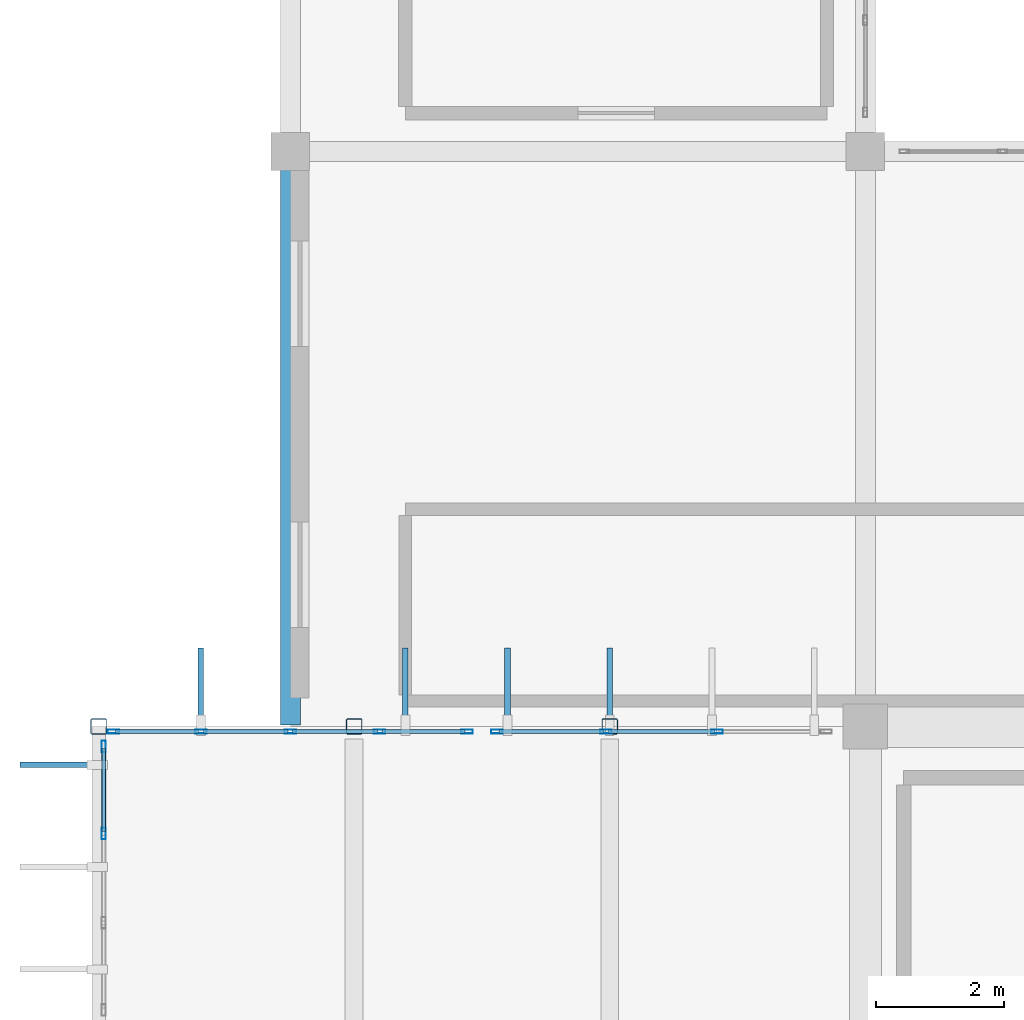
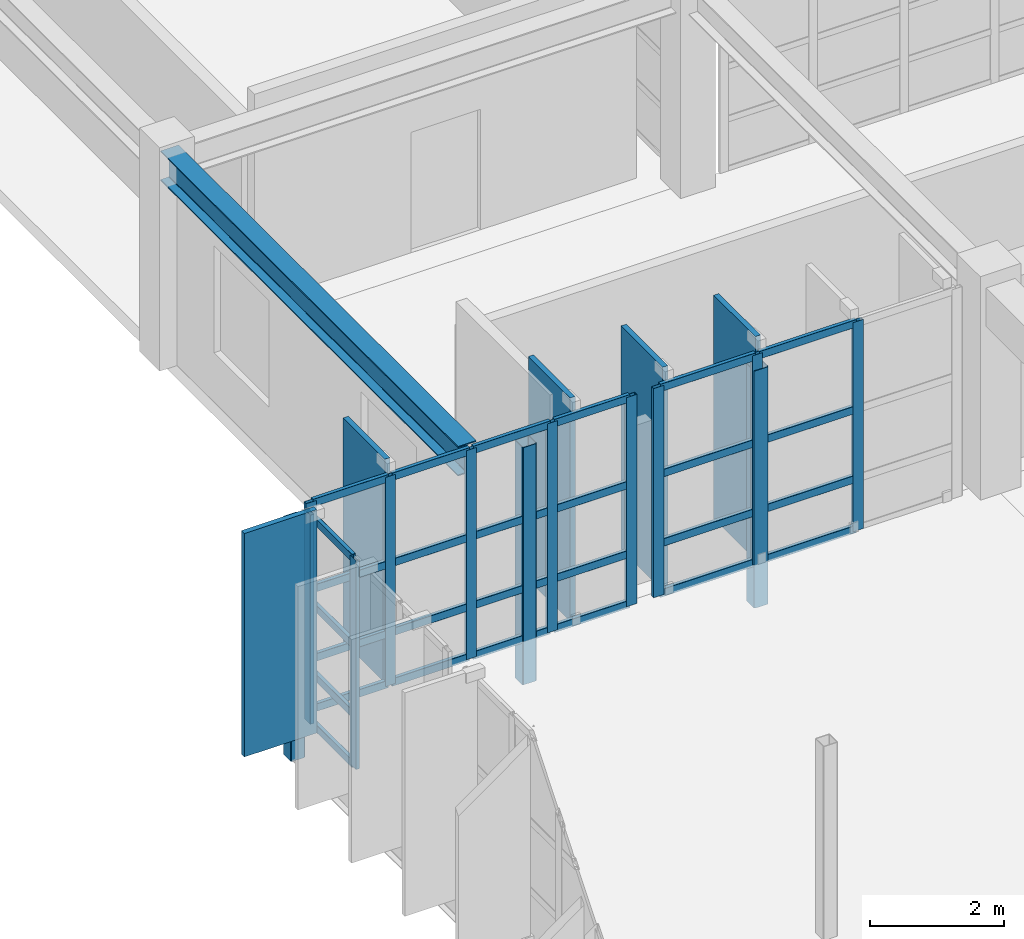
# One storey, part 48 of 110: 46 members, 1 beam, 3 elements without a shape of their own.
"""IFC4 building model written with IfcOpenShell, lengths in metres."""

from ifc_helpers import new_model, si_unit, direction, frame, origin, origin_2d, place, context, subcontext, project, spatial, rectangle, hollow_rectangle, i_section, extrude, material, material_profile, profile_set, type_object, element, aggregate, save


model = new_model("IFC4")

# Units and contexts
model_context = context("Model", 3, precision=1e-05, world=origin(), true_north=direction((0.0, 1.0)))
body_context = subcontext(model_context, "Body", "Model", "MODEL_VIEW")
ifc_project = project(units=[si_unit("LENGTHUNIT", "METRE"), si_unit("AREAUNIT", "SQUARE_METRE"), si_unit("VOLUMEUNIT", "CUBIC_METRE"), si_unit("PLANEANGLEUNIT", "RADIAN"), si_unit("MASSUNIT", "GRAM", prefix="KILO")], contexts=[model_context])

# Site, building, storey
site_placement = place(None, origin())
site = spatial("IfcSite", under=ifc_project, at=site_placement, CompositionType="ELEMENT")
building_placement = place(site_placement, origin())
building = spatial("IfcBuilding", under=site, at=building_placement, Name="Miravela Opera House", CompositionType="ELEMENT")
storey_placement = place(building_placement, frame((0.0, 0.0, 13.60009765625)))
storey = spatial("IfcBuildingStorey", under=building, at=storey_placement, Name="L03", CompositionType="ELEMENT", Elevation=13.60009765625)

# Curtain wall, members
ifc_material_1 = material(Name="Anodised architectural bronze aluminium 6063-T6", Category="aluminium")
curtain_wall_type = type_object("IfcCurtainWallType", Name="ARC-CW-02", PredefinedType="NOTDEFINED", material=ifc_material_1)
curtain_wall_1_placement = place(storey_placement, origin())
curtain_wall_1 = element("IfcCurtainWall", 1, at=curtain_wall_1_placement, inside=storey, type_object=curtain_wall_type, Name="Cantilever West Wrapper Glazing B8 CW-L03-022", PredefinedType="NOTDEFINED")
ifc_material_profile_1 = material_profile(ifc_material_1, hollow_rectangle(XDim=0.06494140625, YDim=0.179931640625, WallThickness=0.00390625, InnerFilletRadius=0.001953125, OuterFilletRadius=0.00390625, at=origin_2d()), Name="CWM-65X180")
ifc_profile_set_1 = profile_set([ifc_material_profile_1])
member_type_1 = type_object("IfcMemberType", Name="ARC-CWM-180", PredefinedType="MULLION", material=ifc_profile_set_1)
member_1_placement = place(storey_placement, frame((15.080078125, 73.3232421875, 0.0), z_axis=(0.0, 0.0, 1.0), x_axis=(-1.0, 0.0, 0.0)))
member_1 = element("IfcMember", 2, at=member_1_placement, type_object=member_type_1, Name="CW-02 mullion 3", PredefinedType="MULLION", context=body_context, shape_type="SweptSolid", body=[
    extrude(hollow_rectangle(XDim=0.06494140625, YDim=0.179931640625, WallThickness=0.00390625, InnerFilletRadius=0.001953125, OuterFilletRadius=0.00390625, at=origin_2d()), origin(), (0.0, 0.0, 1.0), 3.81982421875),
])
member_2_placement = place(storey_placement, frame((15.080078125, 74.6875, 0.0), z_axis=(0.0, 0.0, 1.0), x_axis=(-1.0, 0.0, 0.0)))
member_2 = element("IfcMember", 3, at=member_2_placement, type_object=member_type_1, Name="CW-02 mullion 4", PredefinedType="MULLION", context=body_context, shape_type="SweptSolid", body=[
    extrude(hollow_rectangle(XDim=0.06494140625, YDim=0.179931640625, WallThickness=0.00390625, InnerFilletRadius=0.001953125, OuterFilletRadius=0.00390625, at=origin_2d()), origin(), (0.0, 0.0, 1.0), 3.81982421875),
])

curtain_wall_2_placement = place(storey_placement, origin())
curtain_wall_2 = element("IfcCurtainWall", 4, at=curtain_wall_2_placement, inside=storey, type_object=curtain_wall_type, Name="Auditorium North Wrapper Glazing CW-L03-023", PredefinedType="NOTDEFINED")
member_3_placement = place(storey_placement, frame((15.232421875, 74.919921875, 0.0), z_axis=(0.0, 0.0, 1.0), x_axis=(0.0, 1.0, 0.0)))
member_3 = element("IfcMember", 5, at=member_3_placement, type_object=member_type_1, Name="CW-02 mullion 1", PredefinedType="MULLION", context=body_context, shape_type="SweptSolid", body=[
    extrude(hollow_rectangle(XDim=0.06494140625, YDim=0.179931640625, WallThickness=0.00390625, InnerFilletRadius=0.001953125, OuterFilletRadius=0.00390625, at=origin_2d()), origin(), (0.0, 0.0, 1.0), 3.81982421875),
])
member_4_placement = place(storey_placement, frame((16.60009765625, 74.919921875, 0.0), z_axis=(0.0, 0.0, 1.0), x_axis=(0.0, 1.0, 0.0)))
member_4 = element("IfcMember", 6, at=member_4_placement, type_object=member_type_1, Name="CW-02 mullion 2", PredefinedType="MULLION", context=body_context, shape_type="SweptSolid", body=[
    extrude(hollow_rectangle(XDim=0.06494140625, YDim=0.179931640625, WallThickness=0.00390625, InnerFilletRadius=0.001953125, OuterFilletRadius=0.00390625, at=origin_2d()), origin(), (0.0, 0.0, 1.0), 3.81982421875),
])
member_5_placement = place(storey_placement, frame((18.0, 74.919921875, 0.0), z_axis=(0.0, 0.0, 1.0), x_axis=(0.0, 1.0, 0.0)))
member_5 = element("IfcMember", 7, at=member_5_placement, type_object=member_type_1, Name="CW-02 mullion 3", PredefinedType="MULLION", context=body_context, shape_type="SweptSolid", body=[
    extrude(hollow_rectangle(XDim=0.06494140625, YDim=0.179931640625, WallThickness=0.00390625, InnerFilletRadius=0.001953125, OuterFilletRadius=0.00390625, at=origin_2d()), origin(), (0.0, 0.0, 1.0), 3.81982421875),
])
member_6_placement = place(storey_placement, frame((19.39990234375, 74.919921875, 0.0), z_axis=(0.0, 0.0, 1.0), x_axis=(0.0, 1.0, 0.0)))
member_6 = element("IfcMember", 8, at=member_6_placement, type_object=member_type_1, Name="CW-02 mullion 4", PredefinedType="MULLION", context=body_context, shape_type="SweptSolid", body=[
    extrude(hollow_rectangle(XDim=0.06494140625, YDim=0.179931640625, WallThickness=0.00390625, InnerFilletRadius=0.001953125, OuterFilletRadius=0.00390625, at=origin_2d()), origin(), (0.0, 0.0, 1.0), 3.81982421875),
])
member_7_placement = place(storey_placement, frame((20.767578125, 74.919921875, 0.0), z_axis=(0.0, 0.0, 1.0), x_axis=(0.0, 1.0, 0.0)))
member_7 = element("IfcMember", 9, at=member_7_placement, type_object=member_type_1, Name="CW-02 mullion 5", PredefinedType="MULLION", context=body_context, shape_type="SweptSolid", body=[
    extrude(hollow_rectangle(XDim=0.06494140625, YDim=0.179931640625, WallThickness=0.00390625, InnerFilletRadius=0.001953125, OuterFilletRadius=0.00390625, at=origin_2d()), origin(), (0.0, 0.0, 1.0), 3.81982421875),
])

curtain_wall_3_placement = place(storey_placement, origin())
curtain_wall_3 = element("IfcCurtainWall", 10, at=curtain_wall_3_placement, inside=storey, type_object=curtain_wall_type, Name="Auditorium North Wrapper Glazing CW-L03-025", PredefinedType="NOTDEFINED")
member_8_placement = place(storey_placement, frame((21.232421875, 74.919921875, 0.0), z_axis=(0.0, 0.0, 1.0), x_axis=(0.0, 1.0, 0.0)))
member_8 = element("IfcMember", 11, at=member_8_placement, type_object=member_type_1, Name="CW-02 mullion 1", PredefinedType="MULLION", context=body_context, shape_type="SweptSolid", body=[
    extrude(hollow_rectangle(XDim=0.06494140625, YDim=0.179931640625, WallThickness=0.00390625, InnerFilletRadius=0.001953125, OuterFilletRadius=0.00390625, at=origin_2d()), origin(), (0.0, 0.0, 1.0), 3.81982421875),
])
member_9_placement = place(storey_placement, frame((22.93994140625, 74.919921875, 0.0), z_axis=(0.0, 0.0, 1.0), x_axis=(0.0, 1.0, 0.0)))
member_9 = element("IfcMember", 12, at=member_9_placement, type_object=member_type_1, Name="CW-02 mullion 2", PredefinedType="MULLION", context=body_context, shape_type="SweptSolid", body=[
    extrude(hollow_rectangle(XDim=0.06494140625, YDim=0.179931640625, WallThickness=0.00390625, InnerFilletRadius=0.001953125, OuterFilletRadius=0.00390625, at=origin_2d()), origin(), (0.0, 0.0, 1.0), 3.81982421875),
])
member_10_placement = place(storey_placement, frame((24.679931640625, 74.919921875, 0.0), z_axis=(0.0, 0.0, 1.0), x_axis=(0.0, 1.0, 0.0)))
member_10 = element("IfcMember", 13, at=member_10_placement, type_object=member_type_1, Name="CW-02 mullion 3", PredefinedType="MULLION", context=body_context, shape_type="SweptSolid", body=[
    extrude(hollow_rectangle(XDim=0.06494140625, YDim=0.179931640625, WallThickness=0.00390625, InnerFilletRadius=0.001953125, OuterFilletRadius=0.00390625, at=origin_2d()), origin(), (0.0, 0.0, 1.0), 3.81982421875),
])

# Member
ifc_material_profile_2 = material_profile(ifc_material_1, hollow_rectangle(XDim=0.06494140625, YDim=0.139892578125, WallThickness=0.00390625, InnerFilletRadius=0.001953125, OuterFilletRadius=0.00390625, at=origin_2d()), Name="CWT-65X140")
ifc_profile_set_2 = profile_set([ifc_material_profile_2])
member_type_2 = type_object("IfcMemberType", Name="ARC-CWT-140", PredefinedType="USERDEFINED", material=ifc_profile_set_2)
member_11_placement = place(storey_placement, frame((15.080078125, 73.355712890625, 0.032470703125), z_axis=(0.0, 1.0, 0.0), x_axis=(-1.0, 0.0, 0.0)))
member_11 = element("IfcMember", 14, at=member_11_placement, type_object=member_type_2, Name="CW-02 transom 3.1", ObjectType="TRANSOM", PredefinedType="USERDEFINED", context=body_context, shape_type="SweptSolid", body=[
    extrude(hollow_rectangle(XDim=0.06494140625, YDim=0.139892578125, WallThickness=0.00390625, InnerFilletRadius=0.001953125, OuterFilletRadius=0.00390625, at=origin_2d()), origin(), (0.0, 0.0, 1.0), 1.29931640625),
])

member_12_placement = place(storey_placement, frame((15.080078125, 73.355712890625, 0.949951171875), z_axis=(0.0, 1.0, 0.0), x_axis=(-1.0, 0.0, 0.0)))
member_12 = element("IfcMember", 15, at=member_12_placement, type_object=member_type_2, Name="CW-02 transom 3.2", ObjectType="TRANSOM", PredefinedType="USERDEFINED", context=body_context, shape_type="SweptSolid", body=[
    extrude(hollow_rectangle(XDim=0.06494140625, YDim=0.139892578125, WallThickness=0.00390625, InnerFilletRadius=0.001953125, OuterFilletRadius=0.00390625, at=origin_2d()), origin(), (0.0, 0.0, 1.0), 1.29931640625),
])

member_13_placement = place(storey_placement, frame((15.080078125, 73.355712890625, 2.215576171875), z_axis=(0.0, 1.0, 0.0), x_axis=(-1.0, 0.0, 0.0)))
member_13 = element("IfcMember", 16, at=member_13_placement, type_object=member_type_2, Name="CW-02 transom 3.3", ObjectType="TRANSOM", PredefinedType="USERDEFINED", context=body_context, shape_type="SweptSolid", body=[
    extrude(hollow_rectangle(XDim=0.06494140625, YDim=0.139892578125, WallThickness=0.00390625, InnerFilletRadius=0.001953125, OuterFilletRadius=0.00390625, at=origin_2d()), origin(), (0.0, 0.0, 1.0), 1.29931640625),
])

member_14_placement = place(storey_placement, frame((15.080078125, 73.355712890625, 3.787353515625), z_axis=(0.0, 1.0, 0.0), x_axis=(-1.0, 0.0, 0.0)))
member_14 = element("IfcMember", 17, at=member_14_placement, type_object=member_type_2, Name="CW-02 transom 3.4", ObjectType="TRANSOM", PredefinedType="USERDEFINED", context=body_context, shape_type="SweptSolid", body=[
    extrude(hollow_rectangle(XDim=0.06494140625, YDim=0.139892578125, WallThickness=0.00390625, InnerFilletRadius=0.001953125, OuterFilletRadius=0.00390625, at=origin_2d()), origin(), (0.0, 0.0, 1.0), 1.29931640625),
])

aggregate(curtain_wall_1, [member_1, member_2, member_11, member_12, member_13, member_14])

member_15_placement = place(storey_placement, frame((15.264892578125, 74.919921875, 0.032470703125), z_axis=(1.0, 0.0, 0.0), x_axis=(0.0, 1.0, 0.0)))
member_15 = element("IfcMember", 18, at=member_15_placement, type_object=member_type_2, Name="CW-02 transom 1.1", ObjectType="TRANSOM", PredefinedType="USERDEFINED", context=body_context, shape_type="SweptSolid", body=[
    extrude(hollow_rectangle(XDim=0.06494140625, YDim=0.139892578125, WallThickness=0.00390625, InnerFilletRadius=0.001953125, OuterFilletRadius=0.00390625, at=origin_2d()), origin(), (0.0, 0.0, 1.0), 1.302490234375),
])

member_16_placement = place(storey_placement, frame((15.264892578125, 74.919921875, 0.949951171875), z_axis=(1.0, 0.0, 0.0), x_axis=(0.0, 1.0, 0.0)))
member_16 = element("IfcMember", 19, at=member_16_placement, type_object=member_type_2, Name="CW-02 transom 1.2", ObjectType="TRANSOM", PredefinedType="USERDEFINED", context=body_context, shape_type="SweptSolid", body=[
    extrude(hollow_rectangle(XDim=0.06494140625, YDim=0.139892578125, WallThickness=0.00390625, InnerFilletRadius=0.001953125, OuterFilletRadius=0.00390625, at=origin_2d()), origin(), (0.0, 0.0, 1.0), 1.302490234375),
])

member_17_placement = place(storey_placement, frame((15.264892578125, 74.919921875, 2.215576171875), z_axis=(1.0, 0.0, 0.0), x_axis=(0.0, 1.0, 0.0)))
member_17 = element("IfcMember", 20, at=member_17_placement, type_object=member_type_2, Name="CW-02 transom 1.3", ObjectType="TRANSOM", PredefinedType="USERDEFINED", context=body_context, shape_type="SweptSolid", body=[
    extrude(hollow_rectangle(XDim=0.06494140625, YDim=0.139892578125, WallThickness=0.00390625, InnerFilletRadius=0.001953125, OuterFilletRadius=0.00390625, at=origin_2d()), origin(), (0.0, 0.0, 1.0), 1.302490234375),
])

member_18_placement = place(storey_placement, frame((15.264892578125, 74.919921875, 3.787353515625), z_axis=(1.0, 0.0, 0.0), x_axis=(0.0, 1.0, 0.0)))
member_18 = element("IfcMember", 21, at=member_18_placement, type_object=member_type_2, Name="CW-02 transom 1.4", ObjectType="TRANSOM", PredefinedType="USERDEFINED", context=body_context, shape_type="SweptSolid", body=[
    extrude(hollow_rectangle(XDim=0.06494140625, YDim=0.139892578125, WallThickness=0.00390625, InnerFilletRadius=0.001953125, OuterFilletRadius=0.00390625, at=origin_2d()), origin(), (0.0, 0.0, 1.0), 1.302490234375),
])

member_19_placement = place(storey_placement, frame((16.632568359375, 74.919921875, 0.032470703125), z_axis=(1.0, 0.0, 0.0), x_axis=(0.0, 1.0, 0.0)))
member_19 = element("IfcMember", 22, at=member_19_placement, type_object=member_type_2, Name="CW-02 transom 2.1", ObjectType="TRANSOM", PredefinedType="USERDEFINED", context=body_context, shape_type="SweptSolid", body=[
    extrude(hollow_rectangle(XDim=0.06494140625, YDim=0.139892578125, WallThickness=0.00390625, InnerFilletRadius=0.001953125, OuterFilletRadius=0.00390625, at=origin_2d()), origin(), (0.0, 0.0, 1.0), 1.3349609375),
])

member_20_placement = place(storey_placement, frame((16.632568359375, 74.919921875, 0.949951171875), z_axis=(1.0, 0.0, 0.0), x_axis=(0.0, 1.0, 0.0)))
member_20 = element("IfcMember", 23, at=member_20_placement, type_object=member_type_2, Name="CW-02 transom 2.2", ObjectType="TRANSOM", PredefinedType="USERDEFINED", context=body_context, shape_type="SweptSolid", body=[
    extrude(hollow_rectangle(XDim=0.06494140625, YDim=0.139892578125, WallThickness=0.00390625, InnerFilletRadius=0.001953125, OuterFilletRadius=0.00390625, at=origin_2d()), origin(), (0.0, 0.0, 1.0), 1.3349609375),
])

member_21_placement = place(storey_placement, frame((16.632568359375, 74.919921875, 2.215576171875), z_axis=(1.0, 0.0, 0.0), x_axis=(0.0, 1.0, 0.0)))
member_21 = element("IfcMember", 24, at=member_21_placement, type_object=member_type_2, Name="CW-02 transom 2.3", ObjectType="TRANSOM", PredefinedType="USERDEFINED", context=body_context, shape_type="SweptSolid", body=[
    extrude(hollow_rectangle(XDim=0.06494140625, YDim=0.139892578125, WallThickness=0.00390625, InnerFilletRadius=0.001953125, OuterFilletRadius=0.00390625, at=origin_2d()), origin(), (0.0, 0.0, 1.0), 1.3349609375),
])

member_22_placement = place(storey_placement, frame((16.632568359375, 74.919921875, 3.787353515625), z_axis=(1.0, 0.0, 0.0), x_axis=(0.0, 1.0, 0.0)))
member_22 = element("IfcMember", 25, at=member_22_placement, type_object=member_type_2, Name="CW-02 transom 2.4", ObjectType="TRANSOM", PredefinedType="USERDEFINED", context=body_context, shape_type="SweptSolid", body=[
    extrude(hollow_rectangle(XDim=0.06494140625, YDim=0.139892578125, WallThickness=0.00390625, InnerFilletRadius=0.001953125, OuterFilletRadius=0.00390625, at=origin_2d()), origin(), (0.0, 0.0, 1.0), 1.3349609375),
])

member_23_placement = place(storey_placement, frame((18.032470703125, 74.919921875, 0.032470703125), z_axis=(1.0, 0.0, 0.0), x_axis=(0.0, 1.0, 0.0)))
member_23 = element("IfcMember", 26, at=member_23_placement, type_object=member_type_2, Name="CW-02 transom 3.1", ObjectType="TRANSOM", PredefinedType="USERDEFINED", context=body_context, shape_type="SweptSolid", body=[
    extrude(hollow_rectangle(XDim=0.06494140625, YDim=0.139892578125, WallThickness=0.00390625, InnerFilletRadius=0.001953125, OuterFilletRadius=0.00390625, at=origin_2d()), origin(), (0.0, 0.0, 1.0), 1.3349609375),
])

member_24_placement = place(storey_placement, frame((18.032470703125, 74.919921875, 0.949951171875), z_axis=(1.0, 0.0, 0.0), x_axis=(0.0, 1.0, 0.0)))
member_24 = element("IfcMember", 27, at=member_24_placement, type_object=member_type_2, Name="CW-02 transom 3.2", ObjectType="TRANSOM", PredefinedType="USERDEFINED", context=body_context, shape_type="SweptSolid", body=[
    extrude(hollow_rectangle(XDim=0.06494140625, YDim=0.139892578125, WallThickness=0.00390625, InnerFilletRadius=0.001953125, OuterFilletRadius=0.00390625, at=origin_2d()), origin(), (0.0, 0.0, 1.0), 1.3349609375),
])

member_25_placement = place(storey_placement, frame((18.032470703125, 74.919921875, 2.215576171875), z_axis=(1.0, 0.0, 0.0), x_axis=(0.0, 1.0, 0.0)))
member_25 = element("IfcMember", 28, at=member_25_placement, type_object=member_type_2, Name="CW-02 transom 3.3", ObjectType="TRANSOM", PredefinedType="USERDEFINED", context=body_context, shape_type="SweptSolid", body=[
    extrude(hollow_rectangle(XDim=0.06494140625, YDim=0.139892578125, WallThickness=0.00390625, InnerFilletRadius=0.001953125, OuterFilletRadius=0.00390625, at=origin_2d()), origin(), (0.0, 0.0, 1.0), 1.3349609375),
])

member_26_placement = place(storey_placement, frame((18.032470703125, 74.919921875, 3.787353515625), z_axis=(1.0, 0.0, 0.0), x_axis=(0.0, 1.0, 0.0)))
member_26 = element("IfcMember", 29, at=member_26_placement, type_object=member_type_2, Name="CW-02 transom 3.4", ObjectType="TRANSOM", PredefinedType="USERDEFINED", context=body_context, shape_type="SweptSolid", body=[
    extrude(hollow_rectangle(XDim=0.06494140625, YDim=0.139892578125, WallThickness=0.00390625, InnerFilletRadius=0.001953125, OuterFilletRadius=0.00390625, at=origin_2d()), origin(), (0.0, 0.0, 1.0), 1.3349609375),
])

member_27_placement = place(storey_placement, frame((19.4326171875, 74.919921875, 0.032470703125), z_axis=(1.0, 0.0, 0.0), x_axis=(0.0, 1.0, 0.0)))
member_27 = element("IfcMember", 30, at=member_27_placement, type_object=member_type_2, Name="CW-02 transom 4.1", ObjectType="TRANSOM", PredefinedType="USERDEFINED", context=body_context, shape_type="SweptSolid", body=[
    extrude(hollow_rectangle(XDim=0.06494140625, YDim=0.139892578125, WallThickness=0.00390625, InnerFilletRadius=0.001953125, OuterFilletRadius=0.00390625, at=origin_2d()), origin(), (0.0, 0.0, 1.0), 1.302490234375),
])

member_28_placement = place(storey_placement, frame((19.4326171875, 74.919921875, 0.949951171875), z_axis=(1.0, 0.0, 0.0), x_axis=(0.0, 1.0, 0.0)))
member_28 = element("IfcMember", 31, at=member_28_placement, type_object=member_type_2, Name="CW-02 transom 4.2", ObjectType="TRANSOM", PredefinedType="USERDEFINED", context=body_context, shape_type="SweptSolid", body=[
    extrude(hollow_rectangle(XDim=0.06494140625, YDim=0.139892578125, WallThickness=0.00390625, InnerFilletRadius=0.001953125, OuterFilletRadius=0.00390625, at=origin_2d()), origin(), (0.0, 0.0, 1.0), 1.302490234375),
])

member_29_placement = place(storey_placement, frame((19.4326171875, 74.919921875, 2.215576171875), z_axis=(1.0, 0.0, 0.0), x_axis=(0.0, 1.0, 0.0)))
member_29 = element("IfcMember", 32, at=member_29_placement, type_object=member_type_2, Name="CW-02 transom 4.3", ObjectType="TRANSOM", PredefinedType="USERDEFINED", context=body_context, shape_type="SweptSolid", body=[
    extrude(hollow_rectangle(XDim=0.06494140625, YDim=0.139892578125, WallThickness=0.00390625, InnerFilletRadius=0.001953125, OuterFilletRadius=0.00390625, at=origin_2d()), origin(), (0.0, 0.0, 1.0), 1.302490234375),
])

member_30_placement = place(storey_placement, frame((19.4326171875, 74.919921875, 3.787353515625), z_axis=(1.0, 0.0, 0.0), x_axis=(0.0, 1.0, 0.0)))
member_30 = element("IfcMember", 33, at=member_30_placement, type_object=member_type_2, Name="CW-02 transom 4.4", ObjectType="TRANSOM", PredefinedType="USERDEFINED", context=body_context, shape_type="SweptSolid", body=[
    extrude(hollow_rectangle(XDim=0.06494140625, YDim=0.139892578125, WallThickness=0.00390625, InnerFilletRadius=0.001953125, OuterFilletRadius=0.00390625, at=origin_2d()), origin(), (0.0, 0.0, 1.0), 1.302490234375),
])

aggregate(curtain_wall_2, [member_3, member_4, member_5, member_6, member_7, member_15, member_16, member_17, member_18, member_19, member_20, member_21, member_22, member_23, member_24, member_25, member_26, member_27, member_28, member_29, member_30])

member_31_placement = place(storey_placement, frame((21.264892578125, 74.919921875, 0.032470703125), z_axis=(1.0, 0.0, 0.0), x_axis=(0.0, 1.0, 0.0)))
member_31 = element("IfcMember", 34, at=member_31_placement, type_object=member_type_2, Name="CW-02 transom 1.1", ObjectType="TRANSOM", PredefinedType="USERDEFINED", context=body_context, shape_type="SweptSolid", body=[
    extrude(hollow_rectangle(XDim=0.06494140625, YDim=0.139892578125, WallThickness=0.00390625, InnerFilletRadius=0.001953125, OuterFilletRadius=0.00390625, at=origin_2d()), origin(), (0.0, 0.0, 1.0), 1.642578125),
])

member_32_placement = place(storey_placement, frame((21.264892578125, 74.919921875, 0.949951171875), z_axis=(1.0, 0.0, 0.0), x_axis=(0.0, 1.0, 0.0)))
member_32 = element("IfcMember", 35, at=member_32_placement, type_object=member_type_2, Name="CW-02 transom 1.2", ObjectType="TRANSOM", PredefinedType="USERDEFINED", context=body_context, shape_type="SweptSolid", body=[
    extrude(hollow_rectangle(XDim=0.06494140625, YDim=0.139892578125, WallThickness=0.00390625, InnerFilletRadius=0.001953125, OuterFilletRadius=0.00390625, at=origin_2d()), origin(), (0.0, 0.0, 1.0), 1.642578125),
])

member_33_placement = place(storey_placement, frame((21.264892578125, 74.919921875, 2.215576171875), z_axis=(1.0, 0.0, 0.0), x_axis=(0.0, 1.0, 0.0)))
member_33 = element("IfcMember", 36, at=member_33_placement, type_object=member_type_2, Name="CW-02 transom 1.3", ObjectType="TRANSOM", PredefinedType="USERDEFINED", context=body_context, shape_type="SweptSolid", body=[
    extrude(hollow_rectangle(XDim=0.06494140625, YDim=0.139892578125, WallThickness=0.00390625, InnerFilletRadius=0.001953125, OuterFilletRadius=0.00390625, at=origin_2d()), origin(), (0.0, 0.0, 1.0), 1.642578125),
])

member_34_placement = place(storey_placement, frame((21.264892578125, 74.919921875, 3.787353515625), z_axis=(1.0, 0.0, 0.0), x_axis=(0.0, 1.0, 0.0)))
member_34 = element("IfcMember", 37, at=member_34_placement, type_object=member_type_2, Name="CW-02 transom 1.4", ObjectType="TRANSOM", PredefinedType="USERDEFINED", context=body_context, shape_type="SweptSolid", body=[
    extrude(hollow_rectangle(XDim=0.06494140625, YDim=0.139892578125, WallThickness=0.00390625, InnerFilletRadius=0.001953125, OuterFilletRadius=0.00390625, at=origin_2d()), origin(), (0.0, 0.0, 1.0), 1.642578125),
])

member_35_placement = place(storey_placement, frame((22.972412109375, 74.919921875, 0.032470703125), z_axis=(1.0, 0.0, 0.0), x_axis=(0.0, 1.0, 0.0)))
member_35 = element("IfcMember", 38, at=member_35_placement, type_object=member_type_2, Name="CW-02 transom 2.1", ObjectType="TRANSOM", PredefinedType="USERDEFINED", context=body_context, shape_type="SweptSolid", body=[
    extrude(hollow_rectangle(XDim=0.06494140625, YDim=0.139892578125, WallThickness=0.00390625, InnerFilletRadius=0.001953125, OuterFilletRadius=0.00390625, at=origin_2d()), origin(), (0.0, 0.0, 1.0), 1.675048828125),
])

member_36_placement = place(storey_placement, frame((22.972412109375, 74.919921875, 0.949951171875), z_axis=(1.0, 0.0, 0.0), x_axis=(0.0, 1.0, 0.0)))
member_36 = element("IfcMember", 39, at=member_36_placement, type_object=member_type_2, Name="CW-02 transom 2.2", ObjectType="TRANSOM", PredefinedType="USERDEFINED", context=body_context, shape_type="SweptSolid", body=[
    extrude(hollow_rectangle(XDim=0.06494140625, YDim=0.139892578125, WallThickness=0.00390625, InnerFilletRadius=0.001953125, OuterFilletRadius=0.00390625, at=origin_2d()), origin(), (0.0, 0.0, 1.0), 1.675048828125),
])

member_37_placement = place(storey_placement, frame((22.972412109375, 74.919921875, 2.215576171875), z_axis=(1.0, 0.0, 0.0), x_axis=(0.0, 1.0, 0.0)))
member_37 = element("IfcMember", 40, at=member_37_placement, type_object=member_type_2, Name="CW-02 transom 2.3", ObjectType="TRANSOM", PredefinedType="USERDEFINED", context=body_context, shape_type="SweptSolid", body=[
    extrude(hollow_rectangle(XDim=0.06494140625, YDim=0.139892578125, WallThickness=0.00390625, InnerFilletRadius=0.001953125, OuterFilletRadius=0.00390625, at=origin_2d()), origin(), (0.0, 0.0, 1.0), 1.675048828125),
])

member_38_placement = place(storey_placement, frame((22.972412109375, 74.919921875, 3.787353515625), z_axis=(1.0, 0.0, 0.0), x_axis=(0.0, 1.0, 0.0)))
member_38 = element("IfcMember", 41, at=member_38_placement, type_object=member_type_2, Name="CW-02 transom 2.4", ObjectType="TRANSOM", PredefinedType="USERDEFINED", context=body_context, shape_type="SweptSolid", body=[
    extrude(hollow_rectangle(XDim=0.06494140625, YDim=0.139892578125, WallThickness=0.00390625, InnerFilletRadius=0.001953125, OuterFilletRadius=0.00390625, at=origin_2d()), origin(), (0.0, 0.0, 1.0), 1.675048828125),
])

aggregate(curtain_wall_3, [member_8, member_9, member_10, member_31, member_32, member_33, member_34, member_35, member_36, member_37, member_38])

# Members
ifc_material_profile_3 = material_profile(ifc_material_1, rectangle(XDim=0.090087890625, YDim=1.25, at=origin_2d()), Name="FIN-1250X90")
ifc_profile_set_3 = profile_set([ifc_material_profile_3])
member_type_3 = type_object("IfcMemberType", Name="ARC-FIN-1250", PredefinedType="USERDEFINED", material=ifc_profile_set_3)
for number, where, z_axis, x_axis, name in (
    (42, (14.39501953125, 74.39990234375, 0.0), (0.0, 0.0, 1.0), (0.0, 1.0, 0.0), "Auditorium Wrapper Bronze Solar Fin FIN-L03-WEST-0060"),
    (43, (16.60009765625, 75.60498046875, 0.0), (0.0, 0.0, 1.0), (1.0, 0.0, 0.0), "Auditorium Wrapper Bronze Solar Fin FIN-L03-NORTH-0061"),
    (44, (19.800048828125, 75.60498046875, 0.0), (0.0, 0.0, 1.0), (1.0, 0.0, 0.0), "Auditorium Wrapper Bronze Solar Fin FIN-L03-NORTH-0063"),
    (45, (21.39990234375, 75.60498046875, 0.0), (0.0, 0.0, 1.0), (1.0, 0.0, 0.0), "Auditorium Wrapper Bronze Solar Fin FIN-L03-NORTH-0065"),
    (46, (23.0, 75.60498046875, 0.0), (0.0, 0.0, 1.0), (1.0, 0.0, 0.0), "Auditorium Wrapper Bronze Solar Fin FIN-L03-NORTH-0067"),
):
    element("IfcMember", number, at=place(storey_placement, frame(where, z_axis=z_axis, x_axis=x_axis)), inside=storey, type_object=member_type_3, Name=name, ObjectType="FIN", PredefinedType="USERDEFINED", context=body_context, shape_type="SweptSolid", body=[
        extrude(rectangle(XDim=0.090087890625, YDim=1.25, at=origin_2d()), origin(), (0.0, 0.0, 1.0), 4.079833984375),
    ])

# Beam
ifc_material_2 = material(Name="Structural steel ASTM A992 Gr. 50", Category="steel")
ifc_material_profile_4 = material_profile(ifc_material_2, i_section(OverallWidth=0.31201171875, OverallDepth=0.54296875, WebThickness=0.0126953125, FlangeThickness=0.020263671875, FilletRadius=0.01611328125, at=origin_2d()), Name="W530X150")
ifc_profile_set_4 = profile_set([ifc_material_profile_4])
beam_type = type_object("IfcBeamType", Name="STR-BM-W530X150", PredefinedType="BEAM", material=ifc_profile_set_4)
beam_placement = place(storey_placement, frame((18.0, 75.02001953125, 3.568359375), z_axis=(0.0, 1.0, 0.0), x_axis=(-1.0, 0.0, 0.0)))
element("IfcBeam", 47, at=beam_placement, inside=storey, type_object=beam_type, Name="Roof King-Post Transverse Tie Girder ROOF-V3-WEST-S T0.1", PredefinedType="BEAM", context=body_context, shape_type="SweptSolid", body=[
    extrude(i_section(OverallWidth=0.31201171875, OverallDepth=0.54296875, WebThickness=0.0126953125, FlangeThickness=0.020263671875, FilletRadius=0.01611328125, at=origin_2d()), origin(), (0.0, 0.0, 1.0), 8.89990234375),
])

# Members
ifc_material_3 = material(Name="Hollow structural steel ASTM A500 Gr. C", Category="steel")
ifc_material_profile_5 = material_profile(ifc_material_3, hollow_rectangle(XDim=0.25, YDim=0.25, WallThickness=0.011962890625, InnerFilletRadius=0.011962890625, OuterFilletRadius=0.02392578125, at=origin_2d()), Name="HSS250X250X12")
ifc_profile_set_5 = profile_set([ifc_material_profile_5])
member_type_4 = type_object("IfcMemberType", Name="STR-MEM-CANT-POST2", PredefinedType="POST", material=ifc_profile_set_5)
for number, where, z_axis, x_axis, name in (
    (48, (15.0, 75.0, -0.793212890625), (0.0, 0.0, 1.0), (1.0, 0.0, 0.0), "Upper Wrapper Truss Post L03 X=15.0"),
    (49, (19.0, 75.0, -0.793212890625), (0.0, 0.0, 1.0), (1.0, 0.0, 0.0), "Upper Wrapper Truss Post L03 X=19.0"),
    (50, (23.0, 75.0, -0.793212890625), (0.0, 0.0, 1.0), (1.0, 0.0, 0.0), "Upper Wrapper Truss Post L03 X=23.0"),
):
    element("IfcMember", number, at=place(storey_placement, frame(where, z_axis=z_axis, x_axis=x_axis)), inside=storey, type_object=member_type_4, Name=name, PredefinedType="POST", context=body_context, shape_type="SweptSolid", body=[
        extrude(hollow_rectangle(XDim=0.25, YDim=0.25, WallThickness=0.011962890625, InnerFilletRadius=0.011962890625, OuterFilletRadius=0.02392578125, at=origin_2d()), origin(), (0.0, 0.0, 1.0), 4.3330078125),
    ])

save(model, "model.ifc")
